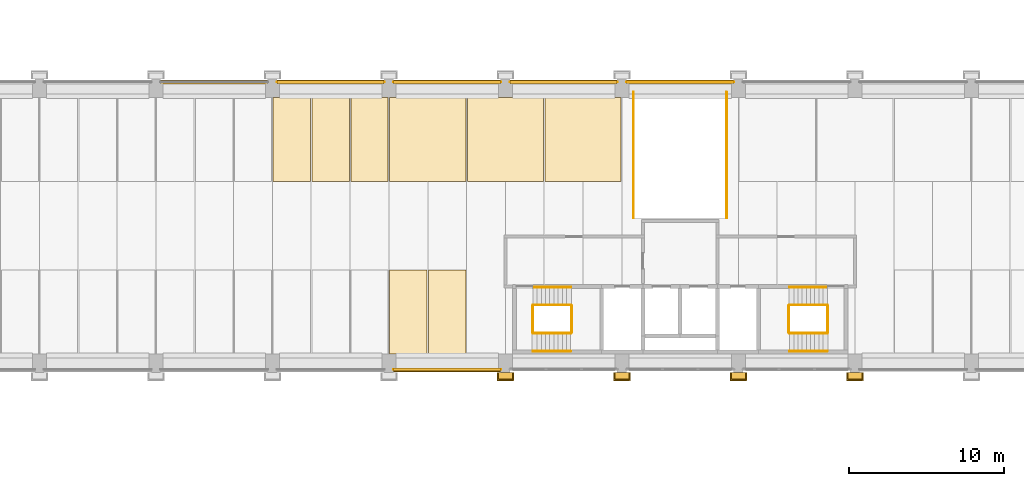
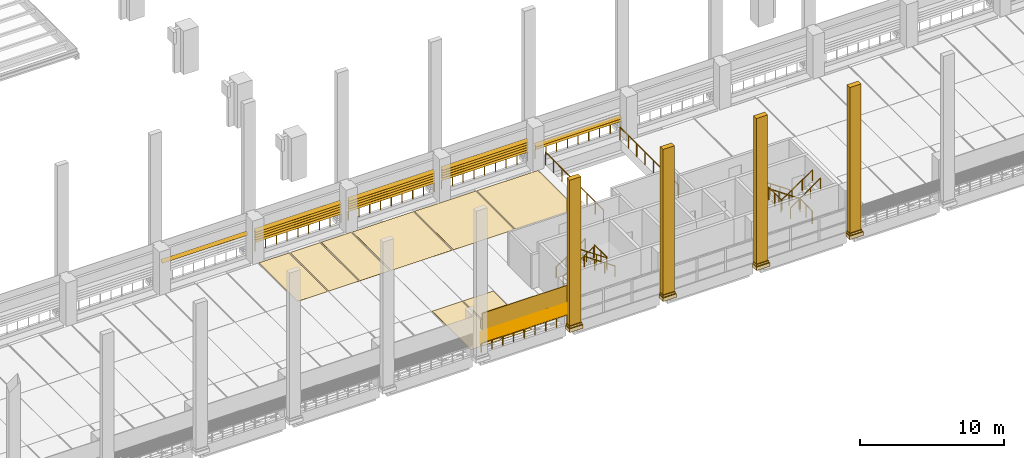
# One storey, part 49 of 67: 23 shading devices, 21 coverings, 19 railings.
"""IFC4 building model written with IfcOpenShell, lengths in metres."""

from ifc_helpers import new_model, si_unit, direction, frame, origin, origin_2d, place, context, subcontext, project, spatial, polyline, circle, outline, extrude, material, layer, layer_set, type_object, element, save


model = new_model("IFC4")

# Units and contexts
model_context = context("Model", 3, precision=1e-05, world=origin(), true_north=direction((0.0, 1.0)))
body_context = subcontext(model_context, "Body", "Model", "MODEL_VIEW")
ifc_project = project(units=[si_unit("LENGTHUNIT", "METRE"), si_unit("AREAUNIT", "SQUARE_METRE"), si_unit("VOLUMEUNIT", "CUBIC_METRE"), si_unit("PLANEANGLEUNIT", "RADIAN"), si_unit("MASSUNIT", "GRAM", prefix="KILO")], contexts=[model_context])

# Site, building, storey
site_placement = place(None, origin())
site = spatial("IfcSite", under=ifc_project, at=site_placement, CompositionType="ELEMENT")
building_placement = place(site_placement, origin())
building = spatial("IfcBuilding", under=site, at=building_placement, Name="Cour d'Honneur Mobility Palace", CompositionType="ELEMENT")
storey_placement = place(building_placement, frame((0.0, 0.0, 4.5)))
storey = spatial("IfcBuildingStorey", under=building, at=storey_placement, Name="L01", CompositionType="ELEMENT", Elevation=4.5)

# Coverings
ifc_material_1 = material(Name="Accessible bay marking paint")
ifc_layer_1 = layer(ifc_material_1, 0.0048828125)
ifc_layer_set_1 = layer_set([ifc_layer_1], Name="Accessible bay marking paint")
covering_type_1 = type_object("IfcCoveringType", Name="Accessible parking bay marking", PredefinedType="FLOORING", material=ifc_layer_set_1)
covering_1_placement = place(storey_placement, origin())
element("IfcCovering", 1, at=covering_1_placement, inside=storey, type_object=covering_type_1, Name="Accessible parking bay marking L01 1", PredefinedType="FLOORING", context=body_context, shape_type="SweptSolid", body=[
    extrude(outline(polyline([(62.449951171875, 56.550048828125), (62.449951171875, 61.949951171875), (67.35009765625, 61.949951171875), (67.35009765625, 56.550048828125), (62.449951171875, 56.550048828125)])), origin(), (0.0, 0.0, 1.0), 0.0048828125),
])
covering_2_placement = place(storey_placement, origin())
element("IfcCovering", 2, at=covering_2_placement, inside=storey, type_object=covering_type_1, Name="Accessible parking bay marking L01 2", PredefinedType="FLOORING", context=body_context, shape_type="SweptSolid", body=[
    extrude(outline(polyline([(67.449951171875, 56.550048828125), (67.449951171875, 61.949951171875), (72.35009765625, 61.949951171875), (72.35009765625, 56.550048828125), (67.449951171875, 56.550048828125)])), origin(), (0.0, 0.0, 1.0), 0.0048828125),
])
covering_3_placement = place(storey_placement, origin())
element("IfcCovering", 3, at=covering_3_placement, inside=storey, type_object=covering_type_1, Name="Accessible parking bay marking L01 3", PredefinedType="FLOORING", context=body_context, shape_type="SweptSolid", body=[
    extrude(outline(polyline([(72.449951171875, 56.550048828125), (72.449951171875, 61.949951171875), (77.35009765625, 61.949951171875), (77.35009765625, 56.550048828125), (72.449951171875, 56.550048828125)])), origin(), (0.0, 0.0, 1.0), 0.0048828125),
])

# Railings
ifc_material_2 = material(Name="Painted steel", Category="steel")
railing_type_1 = type_object("IfcRailingType", Name="Balustrade", PredefinedType="BALUSTRADE", material=ifc_material_2)
railing_1_placement = place(storey_placement, frame((62.699951171875, 44.449951171875, 0.300048828125)))
element("IfcRailing", 4, at=railing_1_placement, inside=storey, type_object=railing_type_1, Name="Balustrade BAL-15", PredefinedType="BALUSTRADE", context=body_context, shape_type="SweptSolid", body=[
    extrude(circle(Radius=0.02392578125, at=origin_2d()), frame((0.0, 0.0, 0.77587890625), z_axis=(1.0, 0.0, 0.0), x_axis=(0.0, 1.0, 0.0)), (0.0, 0.0, 1.0), 6.900146484375),
    extrude(circle(Radius=0.02099609375, at=origin_2d()), origin(), (0.0, 0.0, 1.0), 0.751953125),
    extrude(circle(Radius=0.02099609375, at=origin_2d()), frame((0.862548828125, 0.0, 0.0)), (0.0, 0.0, 1.0), 0.751953125),
    extrude(circle(Radius=0.02099609375, at=origin_2d()), frame((1.72509765625, 0.0, 0.0)), (0.0, 0.0, 1.0), 0.751953125),
    extrude(circle(Radius=0.02099609375, at=origin_2d()), frame((2.587646484375, 0.0, 0.0)), (0.0, 0.0, 1.0), 0.751953125),
    extrude(circle(Radius=0.02099609375, at=origin_2d()), frame((3.4501953125, 0.0, 0.0)), (0.0, 0.0, 1.0), 0.751953125),
    extrude(circle(Radius=0.02099609375, at=origin_2d()), frame((4.3125, 0.0, 0.0)), (0.0, 0.0, 1.0), 0.751953125),
    extrude(circle(Radius=0.02099609375, at=origin_2d()), frame((5.175048828125, 0.0, 0.0)), (0.0, 0.0, 1.0), 0.751953125),
    extrude(circle(Radius=0.02099609375, at=origin_2d()), frame((6.03759765625, 0.0, 0.0)), (0.0, 0.0, 1.0), 0.751953125),
    extrude(circle(Radius=0.02099609375, at=origin_2d()), frame((6.900146484375, 0.0, 0.0)), (0.0, 0.0, 1.0), 0.751953125),
])
for number, where, name in (
    (5, (84.60009765625, 62.949951171875, 0.300048828125), "Balustrade BAL-48"),
    (6, (77.10009765625, 62.949951171875, 0.300048828125), "Balustrade BAL-49"),
    (7, (69.60009765625, 62.949951171875, 0.300048828125), "Balustrade BAL-50"),
    (8, (62.10009765625, 62.949951171875, 0.300048828125), "Balustrade BAL-51"),
):
    element("IfcRailing", number, at=place(storey_placement, frame(where)), inside=storey, type_object=railing_type_1, Name=name, PredefinedType="BALUSTRADE", context=body_context, shape_type="SweptSolid", body=[
        extrude(circle(Radius=0.02392578125, at=origin_2d()), frame((0.0, 0.0, 0.77587890625), z_axis=(-1.0, 0.0, 0.0), x_axis=(0.0, -1.0, 0.0)), (0.0, 0.0, 1.0), 6.900146484375),
        extrude(circle(Radius=0.02099609375, at=origin_2d()), origin(), (0.0, 0.0, 1.0), 0.751953125),
        extrude(circle(Radius=0.02099609375, at=origin_2d()), frame((-0.862548828125, 0.0, 0.0)), (0.0, 0.0, 1.0), 0.751953125),
        extrude(circle(Radius=0.02099609375, at=origin_2d()), frame((-1.72509765625, 0.0, 0.0)), (0.0, 0.0, 1.0), 0.751953125),
        extrude(circle(Radius=0.02099609375, at=origin_2d()), frame((-2.587646484375, 0.0, 0.0)), (0.0, 0.0, 1.0), 0.751953125),
        extrude(circle(Radius=0.02099609375, at=origin_2d()), frame((-3.4501953125, 0.0, 0.0)), (0.0, 0.0, 1.0), 0.751953125),
        extrude(circle(Radius=0.02099609375, at=origin_2d()), frame((-4.3125, 0.0, 0.0)), (0.0, 0.0, 1.0), 0.751953125),
        extrude(circle(Radius=0.02099609375, at=origin_2d()), frame((-5.175048828125, 0.0, 0.0)), (0.0, 0.0, 1.0), 0.751953125),
        extrude(circle(Radius=0.02099609375, at=origin_2d()), frame((-6.03759765625, 0.0, 0.0)), (0.0, 0.0, 1.0), 0.751953125),
        extrude(circle(Radius=0.02099609375, at=origin_2d()), frame((-6.900146484375, 0.0, 0.0)), (0.0, 0.0, 1.0), 0.751953125),
    ])
ifc_material_3 = material(Name="Painted steel", Category="steel")
railing_type_2 = type_object("IfcRailingType", Name="Guardrail 1100", PredefinedType="GUARDRAIL", material=ifc_material_3)
for number, where, name in (
    (9, (71.655029296875, 46.824951171875, 0.0), "Guard ST-CC1"),
    (10, (74.1650390625, 46.824951171875, 1.85009765625), "Landing guard ST-CC1"),
    (11, (90.64501953125, 46.824951171875, 0.0), "Guard ST-CC2"),
    (12, (88.135009765625, 46.824951171875, 1.85009765625), "Landing guard ST-CC2"),
):
    element("IfcRailing", number, at=place(storey_placement, frame(where)), inside=storey, type_object=railing_type_2, Name=name, PredefinedType="GUARDRAIL", context=body_context, shape_type="SweptSolid", body=[
        extrude(circle(Radius=0.02490234375, at=origin_2d()), frame((0.0, 0.0, 1.0751953125), z_axis=(0.0, 1.0, 0.0), x_axis=(-1.0, 0.0, 0.0)), (0.0, 0.0, 1.0), 1.72509765625),
        extrude(circle(Radius=0.02099609375, at=origin_2d()), origin(), (0.0, 0.0, 1.0), 1.050048828125),
        extrude(circle(Radius=0.02099609375, at=origin_2d()), frame((0.0, 0.862548828125, 0.0)), (0.0, 0.0, 1.0), 1.050048828125),
        extrude(circle(Radius=0.02099609375, at=origin_2d()), frame((0.0, 1.72509765625, 0.0)), (0.0, 0.0, 1.0), 1.050048828125),
    ])
for number, where, name in (
    (13, (78.14990234375, 54.199951171875, 0.0), "Guard grand stair opening"),
    (14, (84.14990234375, 54.199951171875, 0.0), "Guard grand stair opening"),
):
    element("IfcRailing", number, at=place(storey_placement, frame(where)), inside=storey, type_object=railing_type_2, Name=name, PredefinedType="GUARDRAIL", context=body_context, shape_type="SweptSolid", body=[
        extrude(circle(Radius=0.02490234375, at=origin_2d()), frame((0.0, 0.0, 1.0751953125), z_axis=(0.0, 1.0, 0.0), x_axis=(-1.0, 0.0, 0.0)), (0.0, 0.0, 1.0), 8.10009765625),
        extrude(circle(Radius=0.02099609375, at=origin_2d()), origin(), (0.0, 0.0, 1.0), 1.050048828125),
        extrude(circle(Radius=0.02099609375, at=origin_2d()), frame((0.0, 1.1572265625, 0.0)), (0.0, 0.0, 1.0), 1.050048828125),
        extrude(circle(Radius=0.02099609375, at=origin_2d()), frame((0.0, 2.314208984375, 0.0)), (0.0, 0.0, 1.0), 1.050048828125),
        extrude(circle(Radius=0.02099609375, at=origin_2d()), frame((0.0, 3.471435546875, 0.0)), (0.0, 0.0, 1.0), 1.050048828125),
        extrude(circle(Radius=0.02099609375, at=origin_2d()), frame((0.0, 4.628662109375, 0.0)), (0.0, 0.0, 1.0), 1.050048828125),
        extrude(circle(Radius=0.02099609375, at=origin_2d()), frame((0.0, 5.785888671875, 0.0)), (0.0, 0.0, 1.0), 1.050048828125),
        extrude(circle(Radius=0.02099609375, at=origin_2d()), frame((0.0, 6.94287109375, 0.0)), (0.0, 0.0, 1.0), 1.050048828125),
        extrude(circle(Radius=0.02099609375, at=origin_2d()), frame((0.0, 8.10009765625, 0.0)), (0.0, 0.0, 1.0), 1.050048828125),
    ])
ifc_material_4 = material(Name="Stainless steel", Category="steel")
railing_type_3 = type_object("IfcRailingType", Name="Handrail round 50", PredefinedType="HANDRAIL", material=ifc_material_4)
railing_2_placement = place(storey_placement, frame((71.77490234375, 49.75, 0.25341796875)))
element("IfcRailing", 15, at=railing_2_placement, inside=storey, type_object=railing_type_3, Name="Handrail ST-CC1", PredefinedType="HANDRAIL", context=body_context, shape_type="SweptSolid", body=[
    extrude(circle(Radius=0.02490234375, at=origin_2d()), frame((0.0, 0.0, 0.89501953125), z_axis=(0.824908489281, 0.0, 0.565266295044), x_axis=(0.0, 1.0, 0.0)), (0.0, 0.0, 1.0), 2.82470703125),
    extrude(circle(Radius=0.02099609375, at=origin_2d()), origin(), (0.0, 0.0, 1.0), 0.869873046875),
    extrude(circle(Radius=0.02099609375, at=origin_2d()), frame((0.776611328125, 0.0, 0.5322265625)), (0.0, 0.0, 1.0), 0.869873046875),
    extrude(circle(Radius=0.02099609375, at=origin_2d()), frame((1.553466796875, 0.0, 1.064453125)), (0.0, 0.0, 1.0), 0.869873046875),
    extrude(circle(Radius=0.02099609375, at=origin_2d()), frame((2.330078125, 0.0, 1.5966796875)), (0.0, 0.0, 1.0), 0.869873046875),
])
railing_3_placement = place(storey_placement, frame((71.675048828125, 48.60009765625, 0.18505859375)))
element("IfcRailing", 16, at=railing_3_placement, inside=storey, type_object=railing_type_3, Name="Handrail ST-CC1", PredefinedType="HANDRAIL", context=body_context, shape_type="SweptSolid", body=[
    extrude(circle(Radius=0.02490234375, at=origin_2d()), frame((0.0, 0.0, 0.89501953125), z_axis=(0.8249187745, 0.0, 0.56525128525), x_axis=(0.0, 1.0, 0.0)), (0.0, 0.0, 1.0), 2.945556640625),
    extrude(circle(Radius=0.02099609375, at=origin_2d()), origin(), (0.0, 0.0, 1.0), 0.869873046875),
    extrude(circle(Radius=0.02099609375, at=origin_2d()), frame((0.81005859375, 0.0, 0.554931640625)), (0.0, 0.0, 1.0), 0.869873046875),
    extrude(circle(Radius=0.02099609375, at=origin_2d()), frame((1.619873046875, 0.0, 1.110107421875)), (0.0, 0.0, 1.0), 0.869873046875),
    extrude(circle(Radius=0.02099609375, at=origin_2d()), frame((2.429931640625, 0.0, 1.6650390625)), (0.0, 0.0, 1.0), 0.869873046875),
])
for number, where, name in (
    (17, (74.10498046875, 46.77490234375, 2.034912109375), "Handrail ST-CC1"),
    (18, (74.10498046875, 45.625, 2.034912109375), "Handrail ST-CC1"),
):
    element("IfcRailing", number, at=place(storey_placement, frame(where)), inside=storey, type_object=railing_type_3, Name=name, PredefinedType="HANDRAIL", context=body_context, shape_type="SweptSolid", body=[
        extrude(circle(Radius=0.02490234375, at=origin_2d()), frame((0.0, 0.0, 0.89501953125), z_axis=(-0.8249187745, 0.0, 0.56525128525), x_axis=(0.0, -1.0, 0.0)), (0.0, 0.0, 1.0), 2.945556640625),
        extrude(circle(Radius=0.02099609375, at=origin_2d()), origin(), (0.0, 0.0, 1.0), 0.869873046875),
        extrude(circle(Radius=0.02099609375, at=origin_2d()), frame((-0.81005859375, 0.0, 0.554931640625)), (0.0, 0.0, 1.0), 0.869873046875),
        extrude(circle(Radius=0.02099609375, at=origin_2d()), frame((-1.619873046875, 0.0, 1.110107421875)), (0.0, 0.0, 1.0), 0.869873046875),
        extrude(circle(Radius=0.02099609375, at=origin_2d()), frame((-2.429931640625, 0.0, 1.6650390625)), (0.0, 0.0, 1.0), 0.869873046875),
    ])
railing_4_placement = place(storey_placement, frame((90.52490234375, 49.75, 0.25341796875)))
element("IfcRailing", 19, at=railing_4_placement, inside=storey, type_object=railing_type_3, Name="Handrail ST-CC2", PredefinedType="HANDRAIL", context=body_context, shape_type="SweptSolid", body=[
    extrude(circle(Radius=0.02490234375, at=origin_2d()), frame((0.0, 0.0, 0.89501953125), z_axis=(-0.824880869008, 0.0, 0.565306599949), x_axis=(0.0, -1.0, 0.0)), (0.0, 0.0, 1.0), 2.824462890625),
    extrude(circle(Radius=0.02099609375, at=origin_2d()), origin(), (0.0, 0.0, 1.0), 0.869873046875),
    extrude(circle(Radius=0.02099609375, at=origin_2d()), frame((-0.776611328125, 0.0, 0.5322265625)), (0.0, 0.0, 1.0), 0.869873046875),
    extrude(circle(Radius=0.02099609375, at=origin_2d()), frame((-1.55322265625, 0.0, 1.064453125)), (0.0, 0.0, 1.0), 0.869873046875),
    extrude(circle(Radius=0.02099609375, at=origin_2d()), frame((-2.329833984375, 0.0, 1.5966796875)), (0.0, 0.0, 1.0), 0.869873046875),
])
railing_5_placement = place(storey_placement, frame((90.625, 48.60009765625, 0.18505859375)))
element("IfcRailing", 20, at=railing_5_placement, inside=storey, type_object=railing_type_3, Name="Handrail ST-CC2", PredefinedType="HANDRAIL", context=body_context, shape_type="SweptSolid", body=[
    extrude(circle(Radius=0.02490234375, at=origin_2d()), frame((0.0, 0.0, 0.89501953125), z_axis=(-0.8249187745, 0.0, 0.56525128525), x_axis=(0.0, -1.0, 0.0)), (0.0, 0.0, 1.0), 2.945556640625),
    extrude(circle(Radius=0.02099609375, at=origin_2d()), origin(), (0.0, 0.0, 1.0), 0.869873046875),
    extrude(circle(Radius=0.02099609375, at=origin_2d()), frame((-0.81005859375, 0.0, 0.554931640625)), (0.0, 0.0, 1.0), 0.869873046875),
    extrude(circle(Radius=0.02099609375, at=origin_2d()), frame((-1.619873046875, 0.0, 1.110107421875)), (0.0, 0.0, 1.0), 0.869873046875),
    extrude(circle(Radius=0.02099609375, at=origin_2d()), frame((-2.429931640625, 0.0, 1.6650390625)), (0.0, 0.0, 1.0), 0.869873046875),
])
for number, where, name in (
    (21, (88.195068359375, 46.77490234375, 2.034912109375), "Handrail ST-CC2"),
    (22, (88.195068359375, 45.625, 2.034912109375), "Handrail ST-CC2"),
):
    element("IfcRailing", number, at=place(storey_placement, frame(where)), inside=storey, type_object=railing_type_3, Name=name, PredefinedType="HANDRAIL", context=body_context, shape_type="SweptSolid", body=[
        extrude(circle(Radius=0.02490234375, at=origin_2d()), frame((0.0, 0.0, 0.89501953125), z_axis=(0.8249187745, 0.0, 0.56525128525), x_axis=(0.0, 1.0, 0.0)), (0.0, 0.0, 1.0), 2.945556640625),
        extrude(circle(Radius=0.02099609375, at=origin_2d()), origin(), (0.0, 0.0, 1.0), 0.869873046875),
        extrude(circle(Radius=0.02099609375, at=origin_2d()), frame((0.81005859375, 0.0, 0.554931640625)), (0.0, 0.0, 1.0), 0.869873046875),
        extrude(circle(Radius=0.02099609375, at=origin_2d()), frame((1.619873046875, 0.0, 1.110107421875)), (0.0, 0.0, 1.0), 0.869873046875),
        extrude(circle(Radius=0.02099609375, at=origin_2d()), frame((2.429931640625, 0.0, 1.6650390625)), (0.0, 0.0, 1.0), 0.869873046875),
    ])

# Coverings
ifc_material_5 = material(Name="Parking marking paint")
ifc_layer_2 = layer(ifc_material_5, 0.0048828125)
ifc_layer_set_2 = layer_set([ifc_layer_2], Name="Parking marking paint")
covering_type_2 = type_object("IfcCoveringType", Name="Parking bay marking", PredefinedType="FLOORING", material=ifc_layer_set_2)
covering_4_placement = place(storey_placement, origin())
element("IfcCovering", 23, at=covering_4_placement, inside=storey, type_object=covering_type_2, Name="Parking bay marking L01 8", PredefinedType="FLOORING", context=body_context, shape_type="SweptSolid", body=[
    extrude(outline(polyline([(57.35009765625, 56.550048828125), (54.949951171875, 56.550048828125), (54.949951171875, 61.949951171875), (57.35009765625, 61.949951171875), (57.35009765625, 56.550048828125)])), origin(), (0.0, 0.0, 1.0), 0.0048828125),
])
covering_5_placement = place(storey_placement, origin())
element("IfcCovering", 24, at=covering_5_placement, inside=storey, type_object=covering_type_2, Name="Parking bay marking L01 9", PredefinedType="FLOORING", context=body_context, shape_type="SweptSolid", body=[
    extrude(outline(polyline([(59.85009765625, 56.550048828125), (57.449951171875, 56.550048828125), (57.449951171875, 61.949951171875), (59.85009765625, 61.949951171875), (59.85009765625, 56.550048828125)])), origin(), (0.0, 0.0, 1.0), 0.0048828125),
])
covering_6_placement = place(storey_placement, origin())
element("IfcCovering", 25, at=covering_6_placement, inside=storey, type_object=covering_type_2, Name="Parking bay marking L01 10", PredefinedType="FLOORING", context=body_context, shape_type="SweptSolid", body=[
    extrude(outline(polyline([(62.35009765625, 56.550048828125), (59.949951171875, 56.550048828125), (59.949951171875, 61.949951171875), (62.35009765625, 61.949951171875), (62.35009765625, 56.550048828125)])), origin(), (0.0, 0.0, 1.0), 0.0048828125),
])
covering_7_placement = place(storey_placement, origin())
element("IfcCovering", 26, at=covering_7_placement, inside=storey, type_object=covering_type_2, Name="Parking bay marking L01 46", PredefinedType="FLOORING", context=body_context, shape_type="SweptSolid", body=[
    extrude(outline(polyline([(64.85009765625, 45.449951171875), (62.449951171875, 45.449951171875), (62.449951171875, 50.85009765625), (64.85009765625, 50.85009765625), (64.85009765625, 45.449951171875)])), origin(), (0.0, 0.0, 1.0), 0.0048828125),
])
covering_8_placement = place(storey_placement, origin())
element("IfcCovering", 27, at=covering_8_placement, inside=storey, type_object=covering_type_2, Name="Parking bay marking L01 48", PredefinedType="FLOORING", context=body_context, shape_type="SweptSolid", body=[
    extrude(outline(polyline([(67.35009765625, 45.449951171875), (64.949951171875, 45.449951171875), (64.949951171875, 50.85009765625), (67.35009765625, 50.85009765625), (67.35009765625, 45.449951171875)])), origin(), (0.0, 0.0, 1.0), 0.0048828125),
])
ifc_material_6 = material(Name="Cast limestone", Category="masonry")
ifc_layer_3 = layer(ifc_material_6, 0.14990234375)
ifc_layer_set_3 = layer_set([ifc_layer_3], Name="Cast limestone")
covering_type_3 = type_object("IfcCoveringType", Name="Pilaster base", PredefinedType="CLADDING", material=ifc_layer_set_3)
covering_9_placement = place(storey_placement, frame((0.0, 0.0, 0.10009765625)))
element("IfcCovering", 28, at=covering_9_placement, inside=storey, type_object=covering_type_3, Name="Pilaster base PB-33", PredefinedType="CLADDING", context=body_context, shape_type="SweptSolid", body=[
    extrude(outline(polyline([(69.35009765625, 44.25), (70.449951171875, 44.25), (70.449951171875, 43.699951171875), (69.35009765625, 43.699951171875), (69.35009765625, 44.25)])), origin(), (0.0, 0.0, 1.0), 0.2998046875),
])
covering_10_placement = place(storey_placement, frame((0.0, 0.0, 0.39990234375)))
element("IfcCovering", 29, at=covering_10_placement, inside=storey, type_object=covering_type_3, Name="Pilaster base PB-34", PredefinedType="CLADDING", context=body_context, shape_type="SweptSolid", body=[
    extrude(outline(polyline([(69.39990234375, 44.25), (70.39990234375, 44.25), (70.39990234375, 43.780029296875), (69.39990234375, 43.780029296875), (69.39990234375, 44.25)])), origin(), (0.0, 0.0, 1.0), 0.150146484375),
])
covering_11_placement = place(storey_placement, frame((0.0, 0.0, 0.10009765625)))
element("IfcCovering", 30, at=covering_11_placement, inside=storey, type_object=covering_type_3, Name="Pilaster base PB-35", PredefinedType="CLADDING", context=body_context, shape_type="SweptSolid", body=[
    extrude(outline(polyline([(76.85009765625, 44.25), (77.949951171875, 44.25), (77.949951171875, 43.699951171875), (76.85009765625, 43.699951171875), (76.85009765625, 44.25)])), origin(), (0.0, 0.0, 1.0), 0.2998046875),
])
covering_12_placement = place(storey_placement, frame((0.0, 0.0, 0.39990234375)))
element("IfcCovering", 31, at=covering_12_placement, inside=storey, type_object=covering_type_3, Name="Pilaster base PB-36", PredefinedType="CLADDING", context=body_context, shape_type="SweptSolid", body=[
    extrude(outline(polyline([(76.89990234375, 44.25), (77.89990234375, 44.25), (77.89990234375, 43.780029296875), (76.89990234375, 43.780029296875), (76.89990234375, 44.25)])), origin(), (0.0, 0.0, 1.0), 0.150146484375),
])
covering_13_placement = place(storey_placement, frame((0.0, 0.0, 0.10009765625)))
element("IfcCovering", 32, at=covering_13_placement, inside=storey, type_object=covering_type_3, Name="Pilaster base PB-37", PredefinedType="CLADDING", context=body_context, shape_type="SweptSolid", body=[
    extrude(outline(polyline([(84.35009765625, 44.25), (85.449951171875, 44.25), (85.449951171875, 43.699951171875), (84.35009765625, 43.699951171875), (84.35009765625, 44.25)])), origin(), (0.0, 0.0, 1.0), 0.2998046875),
])
covering_14_placement = place(storey_placement, frame((0.0, 0.0, 0.39990234375)))
element("IfcCovering", 33, at=covering_14_placement, inside=storey, type_object=covering_type_3, Name="Pilaster base PB-38", PredefinedType="CLADDING", context=body_context, shape_type="SweptSolid", body=[
    extrude(outline(polyline([(84.39990234375, 44.25), (85.39990234375, 44.25), (85.39990234375, 43.780029296875), (84.39990234375, 43.780029296875), (84.39990234375, 44.25)])), origin(), (0.0, 0.0, 1.0), 0.150146484375),
])
covering_15_placement = place(storey_placement, frame((0.0, 0.0, 0.10009765625)))
element("IfcCovering", 34, at=covering_15_placement, inside=storey, type_object=covering_type_3, Name="Pilaster base PB-39", PredefinedType="CLADDING", context=body_context, shape_type="SweptSolid", body=[
    extrude(outline(polyline([(91.85009765625, 44.25), (92.949951171875, 44.25), (92.949951171875, 43.699951171875), (91.85009765625, 43.699951171875), (91.85009765625, 44.25)])), origin(), (0.0, 0.0, 1.0), 0.2998046875),
])
covering_16_placement = place(storey_placement, frame((0.0, 0.0, 0.39990234375)))
element("IfcCovering", 35, at=covering_16_placement, inside=storey, type_object=covering_type_3, Name="Pilaster base PB-40", PredefinedType="CLADDING", context=body_context, shape_type="SweptSolid", body=[
    extrude(outline(polyline([(91.89990234375, 44.25), (92.89990234375, 44.25), (92.89990234375, 43.780029296875), (91.89990234375, 43.780029296875), (91.89990234375, 44.25)])), origin(), (0.0, 0.0, 1.0), 0.150146484375),
])
ifc_material_7 = material(Name="Cast limestone", Category="masonry")
ifc_layer_4 = layer(ifc_material_7, 0.39990234375)
ifc_layer_set_4 = layer_set([ifc_layer_4], Name="Cast limestone")
covering_type_4 = type_object("IfcCoveringType", Name="Pilaster shaft", PredefinedType="CLADDING", material=ifc_layer_set_4)
covering_17_placement = place(storey_placement, frame((0.0, 0.0, 0.550048828125)))
element("IfcCovering", 36, at=covering_17_placement, inside=storey, type_object=covering_type_4, Name="Pilaster shaft PS-17", PredefinedType="CLADDING", context=body_context, shape_type="SweptSolid", body=[
    extrude(outline(polyline([(69.449951171875, 44.25), (70.35009765625, 44.25), (70.35009765625, 43.85009765625), (69.449951171875, 43.85009765625), (69.449951171875, 44.25)])), origin(), (0.0, 0.0, 1.0), 12.349853515625),
])
covering_18_placement = place(storey_placement, frame((0.0, 0.0, 0.550048828125)))
element("IfcCovering", 37, at=covering_18_placement, inside=storey, type_object=covering_type_4, Name="Pilaster shaft PS-18", PredefinedType="CLADDING", context=body_context, shape_type="SweptSolid", body=[
    extrude(outline(polyline([(76.949951171875, 44.25), (77.85009765625, 44.25), (77.85009765625, 43.85009765625), (76.949951171875, 43.85009765625), (76.949951171875, 44.25)])), origin(), (0.0, 0.0, 1.0), 12.349853515625),
])
covering_19_placement = place(storey_placement, frame((0.0, 0.0, 0.550048828125)))
element("IfcCovering", 38, at=covering_19_placement, inside=storey, type_object=covering_type_4, Name="Pilaster shaft PS-19", PredefinedType="CLADDING", context=body_context, shape_type="SweptSolid", body=[
    extrude(outline(polyline([(84.449951171875, 44.25), (85.35009765625, 44.25), (85.35009765625, 43.85009765625), (84.449951171875, 43.85009765625), (84.449951171875, 44.25)])), origin(), (0.0, 0.0, 1.0), 12.349853515625),
])
covering_20_placement = place(storey_placement, frame((0.0, 0.0, 0.550048828125)))
element("IfcCovering", 39, at=covering_20_placement, inside=storey, type_object=covering_type_4, Name="Pilaster shaft PS-20", PredefinedType="CLADDING", context=body_context, shape_type="SweptSolid", body=[
    extrude(outline(polyline([(91.949951171875, 44.25), (92.85009765625, 44.25), (92.85009765625, 43.85009765625), (91.949951171875, 43.85009765625), (91.949951171875, 44.25)])), origin(), (0.0, 0.0, 1.0), 12.349853515625),
])
ifc_material_8 = material(Name="Cast limestone", Category="masonry")
ifc_layer_5 = layer(ifc_material_8, 0.25)
ifc_layer_set_5 = layer_set([ifc_layer_5], Name="Cast limestone")
covering_type_5 = type_object("IfcCoveringType", Name="Spandrel cladding", PredefinedType="CLADDING", material=ifc_layer_set_5)
covering_21_placement = place(storey_placement, frame((62.699951171875, 44.550048828125, 2.300048828125), z_axis=(-1.0, 0.0, 0.0), x_axis=(0.0, -1.0, 0.0)))
element("IfcCovering", 40, at=covering_21_placement, inside=storey, type_object=covering_type_5, Name="Spandrel cladding SK-80", PredefinedType="CLADDING", context=body_context, shape_type="SweptSolid", body=[
    extrude(outline(polyline([(0.0, 0.0), (0.25, 0.0), (0.25, 1.39990234375), (0.199951171875, 1.39990234375), (0.199951171875, 0.800048828125), (0.0, 0.800048828125), (0.0, 0.0)])), origin(), (0.0, 0.0, -1.0), 6.89990234375),
])

# Shading devices
ifc_material_9 = material(Name="Terracotta", Category="masonry")
ifc_layer_6 = layer(ifc_material_9, 0.02490234375)
ifc_layer_set_6 = layer_set([ifc_layer_6], Name="Terracotta")
shading_device_type = type_object("IfcShadingDeviceType", Name="Terracotta louvre blade", PredefinedType="JALOUSIE", material=ifc_layer_set_6)
shading_device_1_placement = place(storey_placement, frame((62.699951171875, 44.55615234375, 1.10009765625), z_axis=(0.0, 0.706699578995, 0.707513749017), x_axis=(1.0, 0.0, 0.0)))
element("IfcShadingDevice", 41, at=shading_device_1_placement, inside=storey, type_object=shading_device_type, Name="Louvre blade LV-1 S2.6 L01 1", PredefinedType="JALOUSIE", context=body_context, shape_type="SweptSolid", body=[
    extrude(outline(polyline([(0.0, 0.0), (6.900146484375, 0.0), (6.900146484375, -0.29986442442957895), (0.0, -0.29986442442957895), (0.0, 0.0)])), origin(), (0.0, 0.0, -1.0), 0.02490234375),
])
for number, where, z_axis, x_axis, name in (
    (42, (62.699951171875, 44.55615234375, 1.31201171875), (0.0, 0.707106781187, 0.707106781187), (1.0, 0.0, 0.0), "Louvre blade LV-1 S2.6 L01 2"),
    (43, (62.699951171875, 44.55615234375, 1.524169921875), (0.0, 0.707106781187, 0.707106781187), (1.0, 0.0, 0.0), "Louvre blade LV-1 S2.6 L01 3"),
    (44, (62.699951171875, 44.55615234375, 1.736328125), (0.0, 0.707106781187, 0.707106781187), (1.0, 0.0, 0.0), "Louvre blade LV-1 S2.6 L01 4"),
    (45, (62.699951171875, 44.55615234375, 1.948486328125), (0.0, 0.707106781187, 0.707106781187), (1.0, 0.0, 0.0), "Louvre blade LV-1 S2.6 L01 5"),
):
    element("IfcShadingDevice", number, at=place(storey_placement, frame(where, z_axis=z_axis, x_axis=x_axis)), inside=storey, type_object=shading_device_type, Name=name, PredefinedType="JALOUSIE", context=body_context, shape_type="SweptSolid", body=[
        extrude(outline(polyline([(0.0, 0.0), (6.900146484375, 0.0), (6.900146484375, -0.300037008228081), (0.0, -0.300037008228081), (0.0, 0.0)])), origin(), (0.0, 0.0, -1.0), 0.02490234375),
    ])
shading_device_2_placement = place(storey_placement, frame((84.60009765625, 62.843994140625, 1.10009765625), z_axis=(0.0, -0.706699578995, 0.707513749017), x_axis=(-1.0, 0.0, 0.0)))
element("IfcShadingDevice", 46, at=shading_device_2_placement, inside=storey, type_object=shading_device_type, Name="Louvre blade LV-1 N8.8 L01 1", PredefinedType="JALOUSIE", context=body_context, shape_type="SweptSolid", body=[
    extrude(outline(polyline([(0.0, 0.0), (6.900146484375, 0.0), (6.900146484375, -0.29986442442957895), (0.0, -0.29986442442957895), (0.0, 0.0)])), origin(), (0.0, 0.0, -1.0), 0.02490234375),
])
shading_device_3_placement = place(storey_placement, frame((84.60009765625, 62.843994140625, 1.31201171875), z_axis=(0.0, -0.707106781187, 0.707106781187), x_axis=(-1.0, 0.0, 0.0)))
element("IfcShadingDevice", 47, at=shading_device_3_placement, inside=storey, type_object=shading_device_type, Name="Louvre blade LV-1 N8.8 L01 2", PredefinedType="JALOUSIE", context=body_context, shape_type="SweptSolid", body=[
    extrude(outline(polyline([(0.0, 0.0), (6.900146484375, 0.0), (6.900146484375, -0.300037008228081), (0.0, -0.300037008228081), (0.0, 0.0)])), origin(), (0.0, 0.0, -1.0), 0.02490234375),
])
shading_device_4_placement = place(storey_placement, frame((77.10009765625, 62.843994140625, 1.10009765625), z_axis=(0.0, -0.706699578995, 0.707513749017), x_axis=(-1.0, 0.0, 0.0)))
element("IfcShadingDevice", 48, at=shading_device_4_placement, inside=storey, type_object=shading_device_type, Name="Louvre blade LV-1 N8.9 L01 1", PredefinedType="JALOUSIE", context=body_context, shape_type="SweptSolid", body=[
    extrude(outline(polyline([(0.0, 0.0), (6.900146484375, 0.0), (6.900146484375, -0.29986442442957895), (0.0, -0.29986442442957895), (0.0, 0.0)])), origin(), (0.0, 0.0, -1.0), 0.02490234375),
])
for number, where, z_axis, x_axis, name in (
    (49, (77.10009765625, 62.843994140625, 1.31201171875), (0.0, -0.707106781187, 0.707106781187), (-1.0, 0.0, 0.0), "Louvre blade LV-1 N8.9 L01 2"),
    (50, (77.10009765625, 62.843994140625, 1.524169921875), (0.0, -0.707106781187, 0.707106781187), (-1.0, 0.0, 0.0), "Louvre blade LV-1 N8.9 L01 3"),
    (51, (77.10009765625, 62.843994140625, 1.736328125), (0.0, -0.707106781187, 0.707106781187), (-1.0, 0.0, 0.0), "Louvre blade LV-1 N8.9 L01 4"),
    (52, (77.10009765625, 62.843994140625, 1.948486328125), (0.0, -0.707106781187, 0.707106781187), (-1.0, 0.0, 0.0), "Louvre blade LV-1 N8.9 L01 5"),
):
    element("IfcShadingDevice", number, at=place(storey_placement, frame(where, z_axis=z_axis, x_axis=x_axis)), inside=storey, type_object=shading_device_type, Name=name, PredefinedType="JALOUSIE", context=body_context, shape_type="SweptSolid", body=[
        extrude(outline(polyline([(0.0, 0.0), (6.900146484375, 0.0), (6.900146484375, -0.300037008228081), (0.0, -0.300037008228081), (0.0, 0.0)])), origin(), (0.0, 0.0, -1.0), 0.02490234375),
    ])
shading_device_5_placement = place(storey_placement, frame((69.60009765625, 62.843994140625, 1.10009765625), z_axis=(0.0, -0.706699578995, 0.707513749017), x_axis=(-1.0, 0.0, 0.0)))
element("IfcShadingDevice", 53, at=shading_device_5_placement, inside=storey, type_object=shading_device_type, Name="Louvre blade LV-1 N8.10 L01 1", PredefinedType="JALOUSIE", context=body_context, shape_type="SweptSolid", body=[
    extrude(outline(polyline([(0.0, 0.0), (6.900146484375, 0.0), (6.900146484375, -0.29986442442957895), (0.0, -0.29986442442957895), (0.0, 0.0)])), origin(), (0.0, 0.0, -1.0), 0.02490234375),
])
for number, where, z_axis, x_axis, name in (
    (54, (69.60009765625, 62.843994140625, 1.31201171875), (0.0, -0.707106781187, 0.707106781187), (-1.0, 0.0, 0.0), "Louvre blade LV-1 N8.10 L01 2"),
    (55, (69.60009765625, 62.843994140625, 1.524169921875), (0.0, -0.707106781187, 0.707106781187), (-1.0, 0.0, 0.0), "Louvre blade LV-1 N8.10 L01 3"),
    (56, (69.60009765625, 62.843994140625, 1.736328125), (0.0, -0.707106781187, 0.707106781187), (-1.0, 0.0, 0.0), "Louvre blade LV-1 N8.10 L01 4"),
    (57, (69.60009765625, 62.843994140625, 1.948486328125), (0.0, -0.707106781187, 0.707106781187), (-1.0, 0.0, 0.0), "Louvre blade LV-1 N8.10 L01 5"),
):
    element("IfcShadingDevice", number, at=place(storey_placement, frame(where, z_axis=z_axis, x_axis=x_axis)), inside=storey, type_object=shading_device_type, Name=name, PredefinedType="JALOUSIE", context=body_context, shape_type="SweptSolid", body=[
        extrude(outline(polyline([(0.0, 0.0), (6.900146484375, 0.0), (6.900146484375, -0.300037008228081), (0.0, -0.300037008228081), (0.0, 0.0)])), origin(), (0.0, 0.0, -1.0), 0.02490234375),
    ])
shading_device_6_placement = place(storey_placement, frame((62.10009765625, 62.843994140625, 1.10009765625), z_axis=(0.0, -0.706699578995, 0.707513749017), x_axis=(-1.0, 0.0, 0.0)))
element("IfcShadingDevice", 58, at=shading_device_6_placement, inside=storey, type_object=shading_device_type, Name="Louvre blade LV-1 N8.11 L01 1", PredefinedType="JALOUSIE", context=body_context, shape_type="SweptSolid", body=[
    extrude(outline(polyline([(0.0, 0.0), (6.900146484375, 0.0), (6.900146484375, -0.29986442442957895), (0.0, -0.29986442442957895), (0.0, 0.0)])), origin(), (0.0, 0.0, -1.0), 0.02490234375),
])
for number, where, z_axis, x_axis, name in (
    (59, (62.10009765625, 62.843994140625, 1.31201171875), (0.0, -0.707106781187, 0.707106781187), (-1.0, 0.0, 0.0), "Louvre blade LV-1 N8.11 L01 2"),
    (60, (62.10009765625, 62.843994140625, 1.524169921875), (0.0, -0.707106781187, 0.707106781187), (-1.0, 0.0, 0.0), "Louvre blade LV-1 N8.11 L01 3"),
    (61, (62.10009765625, 62.843994140625, 1.736328125), (0.0, -0.707106781187, 0.707106781187), (-1.0, 0.0, 0.0), "Louvre blade LV-1 N8.11 L01 4"),
    (62, (62.10009765625, 62.843994140625, 1.948486328125), (0.0, -0.707106781187, 0.707106781187), (-1.0, 0.0, 0.0), "Louvre blade LV-1 N8.11 L01 5"),
    (63, (54.60009765625, 62.843994140625, 1.948486328125), (0.0, -0.707106781187, 0.707106781187), (-1.0, 0.0, 0.0), "Louvre blade LV-1 N8.12 L01 5"),
):
    element("IfcShadingDevice", number, at=place(storey_placement, frame(where, z_axis=z_axis, x_axis=x_axis)), inside=storey, type_object=shading_device_type, Name=name, PredefinedType="JALOUSIE", context=body_context, shape_type="SweptSolid", body=[
        extrude(outline(polyline([(0.0, 0.0), (6.900146484375, 0.0), (6.900146484375, -0.300037008228081), (0.0, -0.300037008228081), (0.0, 0.0)])), origin(), (0.0, 0.0, -1.0), 0.02490234375),
    ])

save(model, "model.ifc")
